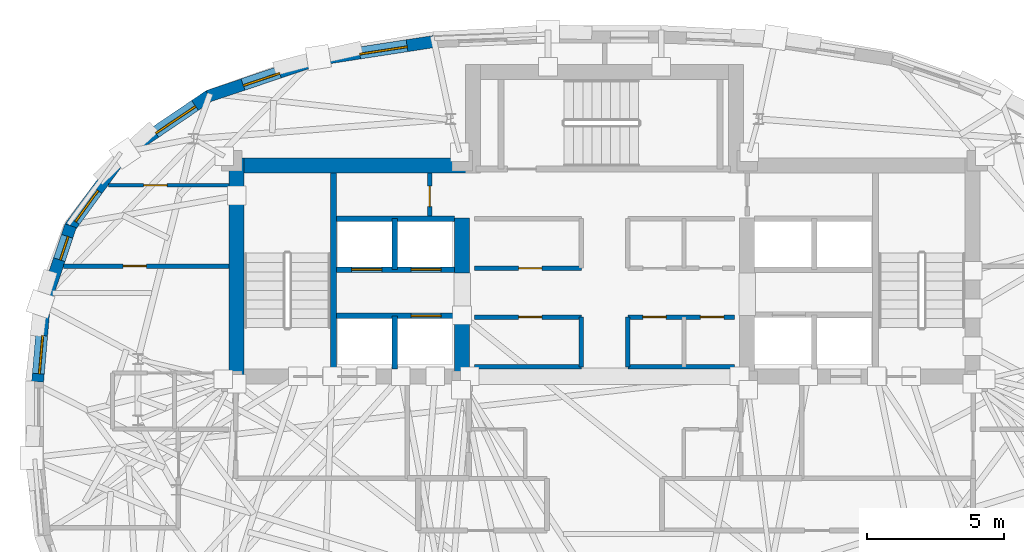
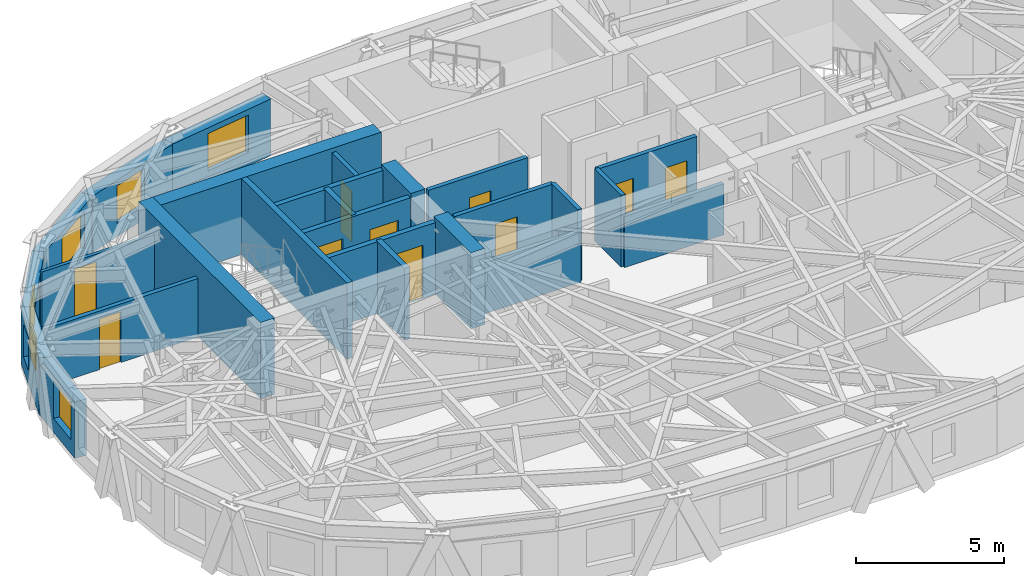
# One storey, part 7 of 12: 26 walls, 10 doors, 6 windows, 16 openings.
"""IFC4 building model written with IfcOpenShell, lengths in metres."""

from ifc_helpers import new_model, si_unit, direction, frame, frame_2d, origin, place, context, subcontext, project, spatial, rectangle, extrude, material, layer, layer_set, type_object, element, fill, save


model = new_model("IFC4")

# Units and contexts
model_context = context("Model", 3, precision=1e-05, world=origin(), true_north=direction((0.0, 1.0)))
body_context = subcontext(model_context, "Body", "Model", "MODEL_VIEW")
ifc_project = project(units=[si_unit("LENGTHUNIT", "METRE"), si_unit("AREAUNIT", "SQUARE_METRE"), si_unit("VOLUMEUNIT", "CUBIC_METRE"), si_unit("PLANEANGLEUNIT", "RADIAN"), si_unit("MASSUNIT", "GRAM", prefix="KILO")], contexts=[model_context])

# Site, building, storey
site_placement = place(None, origin())
site = spatial("IfcSite", under=ifc_project, at=site_placement, CompositionType="ELEMENT")
building_placement = place(site_placement, origin())
building = spatial("IfcBuilding", under=site, at=building_placement, Name="Keldmark Tower", CompositionType="ELEMENT")
storey_placement = place(building_placement, frame((0.0, 0.0, 250.949951171875)))
storey = spatial("IfcBuildingStorey", under=building, at=storey_placement, Name="L71", CompositionType="ELEMENT", Elevation=250.949951171875)

# Walls
ifc_material_1 = material(Name="Concrete C50/60", Category="concrete")
ifc_layer_1 = layer(ifc_material_1, 0.550048828125)
ifc_layer_set_1 = layer_set([ifc_layer_1], Name="Concrete C50/60")
wall_type_1 = type_object("IfcWallType", Name="High-Rise Core Shear Wall 550 mm", PredefinedType="SHEAR", material=ifc_layer_set_1)
wall_1_placement = place(storey_placement, frame((-13.425048828125, 1.300048828125, 0.0), z_axis=(0.0, 0.0, 1.0), x_axis=(0.0, 1.0, 0.0)))
element("IfcWall", 1, at=wall_1_placement, inside=storey, type_object=wall_type_1, Name="L71 West Core Outer Shear Wall", PredefinedType="SHEAR", context=body_context, shape_type="SweptSolid", body=[
    extrude(rectangle(XDim=8.25, YDim=0.550048828125, at=frame_2d((4.125, 0.0))), origin(), (0.0, 0.0, 1.0), 3.150146484375),
])
wall_2_placement = place(storey_placement, frame((-13.699951171875, 9.27490234375, 0.0), z_axis=(0.0, 0.0, 1.0), x_axis=(1.0, 0.0, 0.0)))
element("IfcWall", 2, at=wall_2_placement, inside=storey, type_object=wall_type_1, Name="L71 West Core North Shear Wall", PredefinedType="SHEAR", context=body_context, shape_type="SweptSolid", body=[
    extrude(rectangle(XDim=9.175048828125, YDim=0.550048828125, at=frame_2d((4.58740234375, 0.0))), origin(), (0.0, 0.0, 1.0), 3.150146484375),
])
wall_3_placement = place(storey_placement, frame((-5.199951171875, 1.300048828125, 0.0), z_axis=(0.0, 0.0, 1.0), x_axis=(0.0, 1.0, 0.0)))
element("IfcWall", 3, at=wall_3_placement, inside=storey, type_object=wall_type_1, Name="L71 West Core Inner Shear Pier South", PredefinedType="SHEAR", context=body_context, shape_type="SweptSolid", body=[
    extrude(rectangle(XDim=2.5, YDim=0.550048828125, at=frame_2d((1.25, 0.0))), origin(), (0.0, 0.0, 1.0), 3.150146484375),
])
wall_4_placement = place(storey_placement, frame((-5.199951171875, 5.35009765625, 0.0), z_axis=(0.0, 0.0, 1.0), x_axis=(0.0, 1.0, 0.0)))
element("IfcWall", 4, at=wall_4_placement, inside=storey, type_object=wall_type_1, Name="L71 West Core Inner Shear Pier North", PredefinedType="SHEAR", context=body_context, shape_type="SweptSolid", body=[
    extrude(rectangle(XDim=2.0, YDim=0.550048828125, at=frame_2d((1.0, 0.0))), origin(), (0.0, 0.0, 1.0), 3.150146484375),
])

# Wall, opening, door
ifc_material_2 = material(Name="Acoustic Gypsum Board Interior Partition", Category="gypsum")
ifc_layer_2 = layer(ifc_material_2, 0.1298828125)
ifc_layer_set_2 = layer_set([ifc_layer_2], Name="Acoustic Gypsum Board Interior Partition")
wall_type_2 = type_object("IfcWallType", Name="Interior Partition 130 mm", PredefinedType="PARTITIONING", material=ifc_layer_set_2)
wall_5_placement = place(storey_placement, frame((-18.106689453125, 8.550048828125, 0.0), z_axis=(0.0, 0.0, 1.0), x_axis=(1.0, 0.0, 0.0)))
wall_5 = element("IfcWall", 5, at=wall_5_placement, inside=storey, type_object=wall_type_2, Name="L71 Interior Partition 130 mm UA-NDIV2", PredefinedType="PARTITIONING", context=body_context, shape_type="SweptSolid", body=[
    extrude(rectangle(XDim=4.40673828125, YDim=0.1298828125, at=frame_2d((2.203369140625, 0.0))), origin(), (0.0, 0.0, 1.0), 2.423095703125),
])
opening_1_placement = place(wall_5_placement, frame((1.290283203125, 0.0, 0.0)))
opening_1 = element("IfcOpeningElement", 6, at=opening_1_placement, cuts=wall_5, Name="Opening D-IN085", PredefinedType="OPENING", context=body_context, shape_type="SweptSolid", body=[
    extrude(rectangle(XDim=0.85009765625, YDim=2.10009765625, at=frame_2d((0.425048828125, 1.050048828125))), frame((0.0, 0.074951171875, 0.0), z_axis=(0.0, -1.0, 0.0), x_axis=(1.0, 0.0, 0.0)), (0.0, 0.0, 1.0), 0.14990234375),
])
ifc_material_3 = material(Name="Painted Architectural Wood", Category="wood")
door_type_1 = type_object("IfcDoorType", Name="Interior Door 850x2100", OperationType="NOTDEFINED", PredefinedType="DOOR", material=ifc_material_3)
door_1_placement = place(opening_1_placement, origin())
door_1 = element("IfcDoor", 7, at=door_1_placement, inside=storey, type_object=door_type_1, Name="L71 Interior Door 850x2100 D-UA-BR2-L71", OperationType="SINGLE_SWING_RIGHT", OverallHeight=2.10009765625, OverallWidth=0.85009765625, PredefinedType="DOOR", context=body_context, shape_type="SweptSolid", body=[
    extrude(rectangle(XDim=0.85009765625, YDim=2.10009765625, at=frame_2d((0.425048828125, 1.050048828125))), frame((0.0, 0.02490234375, 0.0), z_axis=(0.0, -1.0, 0.0), x_axis=(1.0, 0.0, 0.0)), (0.0, 0.0, 1.0), 0.050048828125),
])
fill(opening_1, door_1)

# Wall
ifc_material_4 = material(Name="Type X Fire-Rated Gypsum Partition Assembly", Category="gypsum")
ifc_layer_3 = layer(ifc_material_4, 0.1650390625)
ifc_layer_set_3 = layer_set([ifc_layer_3], Name="Type X Fire-Rated Gypsum Partition Assembly")
wall_type_3 = type_object("IfcWallType", Name="Rated Partition 165 mm", PredefinedType="PARTITIONING", material=ifc_layer_set_3)
wall_6_placement = place(storey_placement, frame((-4.739990234375, 1.919921875, 0.0), z_axis=(0.0, 0.0, 1.0), x_axis=(1.0, 0.0, 0.0)))
element("IfcWall", 8, at=wall_6_placement, inside=storey, type_object=wall_type_3, Name="L71 Rated Partition 165 mm REC-LW-S", PredefinedType="PARTITIONING", context=body_context, shape_type="SweptSolid", body=[
    extrude(rectangle(XDim=3.889892578125, YDim=0.1650390625, at=frame_2d((1.94482421875, 0.0))), origin(), (0.0, 0.0, 1.0), 2.110107421875),
])

# Wall, opening, door
wall_7_placement = place(storey_placement, frame((-4.739990234375, 3.739990234375, 0.0), z_axis=(0.0, 0.0, 1.0), x_axis=(1.0, 0.0, 0.0)))
wall_7 = element("IfcWall", 9, at=wall_7_placement, inside=storey, type_object=wall_type_3, Name="L71 Rated Partition 165 mm REC-LW-N", PredefinedType="PARTITIONING", context=body_context, shape_type="SweptSolid", body=[
    extrude(rectangle(XDim=3.889892578125, YDim=0.1650390625, at=frame_2d((1.94482421875, 0.0))), origin(), (0.0, 0.0, 1.0), 2.969970703125),
])
opening_2_placement = place(wall_7_placement, frame((1.60009765625, 0.0, 0.0)))
opening_2 = element("IfcOpeningElement", 10, at=opening_2_placement, cuts=wall_7, Name="Opening D-SV085", PredefinedType="OPENING", context=body_context, shape_type="SweptSolid", body=[
    extrude(rectangle(XDim=0.85009765625, YDim=2.10009765625, at=frame_2d((0.425048828125, 1.050048828125))), frame((0.0, 0.092529296875, 0.0), z_axis=(0.0, -1.0, 0.0), x_axis=(1.0, 0.0, 0.0)), (0.0, 0.0, 1.0), 0.18505859375),
])
ifc_material_5 = material(Name="Painted Hollow Metal Door Assembly", Category="metal")
door_type_2 = type_object("IfcDoorType", Name="Service Door 850x2100", OperationType="NOTDEFINED", PredefinedType="DOOR", material=ifc_material_5)
door_2_placement = place(opening_2_placement, origin())
door_2 = element("IfcDoor", 11, at=door_2_placement, inside=storey, type_object=door_type_2, Name="L71 Service Door 850x2100 D-RECLW1-L71", OperationType="SINGLE_SWING_LEFT", OverallHeight=2.10009765625, OverallWidth=0.85009765625, PredefinedType="DOOR", context=body_context, shape_type="SweptSolid", body=[
    extrude(rectangle(XDim=0.85009765625, YDim=2.10009765625, at=frame_2d((0.425048828125, 1.050048828125))), frame((0.0, 0.02490234375, 0.0), z_axis=(0.0, -1.0, 0.0), x_axis=(1.0, 0.0, 0.0)), (0.0, 0.0, 1.0), 0.050048828125),
])
fill(opening_2, door_2)

# Walls
wall_8_placement = place(storey_placement, frame((-0.85009765625, 1.919921875, 0.0), z_axis=(0.0, 0.0, 1.0), x_axis=(0.0, 1.0, 0.0)))
element("IfcWall", 12, at=wall_8_placement, inside=storey, type_object=wall_type_3, Name="L71 Rated Partition 165 mm REC-LW-E", PredefinedType="PARTITIONING", context=body_context, shape_type="SweptSolid", body=[
    extrude(rectangle(XDim=1.820068359375, YDim=0.1650390625, at=frame_2d((0.91015625, 0.0))), origin(), (0.0, 0.0, 1.0), 2.969970703125),
])
wall_9_placement = place(storey_placement, frame((0.85009765625, 1.919921875, 0.0), z_axis=(0.0, 0.0, 1.0), x_axis=(1.0, 0.0, 0.0)))
element("IfcWall", 13, at=wall_9_placement, inside=storey, type_object=wall_type_3, Name="L71 Rated Partition 165 mm REC-LE-S", PredefinedType="PARTITIONING", context=body_context, shape_type="SweptSolid", body=[
    extrude(rectangle(XDim=3.889892578125, YDim=0.1650390625, at=frame_2d((1.94482421875, 0.0))), origin(), (0.0, 0.0, 1.0), 2.110107421875),
])

# Wall, openings, doors
wall_10_placement = place(storey_placement, frame((0.85009765625, 3.739990234375, 0.0), z_axis=(0.0, 0.0, 1.0), x_axis=(1.0, 0.0, 0.0)))
wall_10 = element("IfcWall", 14, at=wall_10_placement, inside=storey, type_object=wall_type_3, Name="L71 Rated Partition 165 mm REC-LE-N", PredefinedType="PARTITIONING", context=body_context, shape_type="SweptSolid", body=[
    extrude(rectangle(XDim=3.889892578125, YDim=0.1650390625, at=frame_2d((1.94482421875, 0.0))), origin(), (0.0, 0.0, 1.0), 2.969970703125),
])
opening_3_placement = place(wall_10_placement, frame((0.550048828125, 0.0, 0.0)))
opening_3 = element("IfcOpeningElement", 15, at=opening_3_placement, cuts=wall_10, Name="Opening D-SV085", PredefinedType="OPENING", context=body_context, shape_type="SweptSolid", body=[
    extrude(rectangle(XDim=0.85009765625, YDim=2.10009765625, at=frame_2d((0.425048828125, 1.050048828125))), frame((0.0, 0.092529296875, 0.0), z_axis=(0.0, -1.0, 0.0), x_axis=(1.0, 0.0, 0.0)), (0.0, 0.0, 1.0), 0.18505859375),
])
opening_4_placement = place(wall_10_placement, frame((2.64990234375, 0.0, 0.0)))
opening_4 = element("IfcOpeningElement", 16, at=opening_4_placement, cuts=wall_10, Name="Opening D-SV085", PredefinedType="OPENING", context=body_context, shape_type="SweptSolid", body=[
    extrude(rectangle(XDim=0.85009765625, YDim=2.10009765625, at=frame_2d((0.425048828125, 1.050048828125))), frame((0.0, 0.092529296875, 0.0), z_axis=(0.0, -1.0, 0.0), x_axis=(1.0, 0.0, 0.0)), (0.0, 0.0, 1.0), 0.18505859375),
])
door_3_placement = place(opening_3_placement, origin())
door_3 = element("IfcDoor", 17, at=door_3_placement, inside=storey, type_object=door_type_2, Name="L71 Service Door 850x2100 D-RECLE1-L71", OperationType="SINGLE_SWING_LEFT", OverallHeight=2.10009765625, OverallWidth=0.85009765625, PredefinedType="DOOR", context=body_context, shape_type="SweptSolid", body=[
    extrude(rectangle(XDim=0.85009765625, YDim=2.10009765625, at=frame_2d((0.425048828125, 1.050048828125))), frame((0.0, 0.02490234375, 0.0), z_axis=(0.0, -1.0, 0.0), x_axis=(1.0, 0.0, 0.0)), (0.0, 0.0, 1.0), 0.050048828125),
])
fill(opening_3, door_3)
door_4_placement = place(opening_4_placement, origin())
door_4 = element("IfcDoor", 18, at=door_4_placement, inside=storey, type_object=door_type_2, Name="L71 Service Door 850x2100 D-RECLE2-L71", OperationType="SINGLE_SWING_RIGHT", OverallHeight=2.10009765625, OverallWidth=0.85009765625, PredefinedType="DOOR", context=body_context, shape_type="SweptSolid", body=[
    extrude(rectangle(XDim=0.85009765625, YDim=2.10009765625, at=frame_2d((0.425048828125, 1.050048828125))), frame((0.0, 0.02490234375, 0.0), z_axis=(0.0, -1.0, 0.0), x_axis=(1.0, 0.0, 0.0)), (0.0, 0.0, 1.0), 0.050048828125),
])
fill(opening_4, door_4)

# Wall
wall_11_placement = place(storey_placement, frame((0.85009765625, 1.919921875, 0.0), z_axis=(0.0, 0.0, 1.0), x_axis=(0.0, 1.0, 0.0)))
element("IfcWall", 19, at=wall_11_placement, inside=storey, type_object=wall_type_3, Name="L71 Rated Partition 165 mm REC-LE-W", PredefinedType="PARTITIONING", context=body_context, shape_type="SweptSolid", body=[
    extrude(rectangle(XDim=1.820068359375, YDim=0.1650390625, at=frame_2d((0.91015625, 0.0))), origin(), (0.0, 0.0, 1.0), 2.969970703125),
])

# Wall, opening, door
wall_12_placement = place(storey_placement, frame((-4.739990234375, 5.52001953125, 0.0), z_axis=(0.0, 0.0, 1.0), x_axis=(1.0, 0.0, 0.0)))
wall_12 = element("IfcWall", 20, at=wall_12_placement, inside=storey, type_object=wall_type_3, Name="L71 Rated Partition 165 mm REC-MW-S", PredefinedType="PARTITIONING", context=body_context, shape_type="SweptSolid", body=[
    extrude(rectangle(XDim=3.889892578125, YDim=0.1650390625, at=frame_2d((1.94482421875, 0.0))), origin(), (0.0, 0.0, 1.0), 2.969970703125),
])
opening_5_placement = place(wall_12_placement, frame((1.60009765625, 0.0, 0.0)))
opening_5 = element("IfcOpeningElement", 21, at=opening_5_placement, cuts=wall_12, Name="Opening D-SV085", PredefinedType="OPENING", context=body_context, shape_type="SweptSolid", body=[
    extrude(rectangle(XDim=0.85009765625, YDim=2.10009765625, at=frame_2d((0.425048828125, 1.050048828125))), frame((0.0, 0.092529296875, 0.0), z_axis=(0.0, -1.0, 0.0), x_axis=(1.0, 0.0, 0.0)), (0.0, 0.0, 1.0), 0.18505859375),
])
door_5_placement = place(opening_5_placement, origin())
door_5 = element("IfcDoor", 22, at=door_5_placement, inside=storey, type_object=door_type_2, Name="L71 Service Door 850x2100 D-RECMW1-L71", OperationType="SINGLE_SWING_LEFT", OverallHeight=2.10009765625, OverallWidth=0.85009765625, PredefinedType="DOOR", context=body_context, shape_type="SweptSolid", body=[
    extrude(rectangle(XDim=0.85009765625, YDim=2.10009765625, at=frame_2d((0.425048828125, 1.050048828125))), frame((0.0, 0.02490234375, 0.0), z_axis=(0.0, -1.0, 0.0), x_axis=(1.0, 0.0, 0.0)), (0.0, 0.0, 1.0), 0.050048828125),
])
fill(opening_5, door_5)

wall_13_placement = place(storey_placement, frame((-6.3798828125, 7.419921875, 0.0), z_axis=(0.0, 0.0, 1.0), x_axis=(0.0, 1.0, 0.0)))
wall_13 = element("IfcWall", 23, at=wall_13_placement, inside=storey, type_object=wall_type_3, Name="L71 Rated Partition 165 mm CS-NW-E", PredefinedType="PARTITIONING", context=body_context, shape_type="SweptSolid", body=[
    extrude(rectangle(XDim=1.580078125, YDim=0.1650390625, at=frame_2d((0.7900390625, 0.0))), origin(), (0.0, 0.0, 1.0), 2.969970703125),
])
opening_6_placement = place(wall_13_placement, frame((0.35009765625, 0.0, 0.0)))
opening_6 = element("IfcOpeningElement", 24, at=opening_6_placement, cuts=wall_13, Name="Opening D-RS075", PredefinedType="OPENING", context=body_context, shape_type="SweptSolid", body=[
    extrude(rectangle(XDim=0.75, YDim=2.10009765625, at=frame_2d((0.375, 1.050048828125))), frame((0.0, 0.092529296875, 0.0), z_axis=(0.0, -1.0, 0.0), x_axis=(1.0, 0.0, 0.0)), (0.0, 0.0, 1.0), 0.18505859375),
])
ifc_material_6 = material(Name="Galvanized Fire-Rated Access Leaf", Category="metal")
door_type_3 = type_object("IfcDoorType", Name="Riser Access Door 750x2100", OperationType="NOTDEFINED", PredefinedType="DOOR", material=ifc_material_6)
door_6_placement = place(opening_6_placement, origin())
door_6 = element("IfcDoor", 25, at=door_6_placement, inside=storey, type_object=door_type_3, Name="L71 Riser Access Door 750x2100 D-CSNW1-L71", OperationType="SINGLE_SWING_RIGHT", OverallHeight=2.10009765625, OverallWidth=0.75, PredefinedType="DOOR", context=body_context, shape_type="SweptSolid", body=[
    extrude(rectangle(XDim=0.75, YDim=2.10009765625, at=frame_2d((0.375, 1.050048828125))), frame((0.0, 0.02490234375, 0.0), z_axis=(0.0, -1.0, 0.0), x_axis=(1.0, 0.0, 0.0)), (0.0, 0.0, 1.0), 0.050048828125),
])
fill(opening_6, door_6)

wall_14_placement = place(storey_placement, frame((-19.735595703125, 5.60009765625, 0.0), z_axis=(0.0, 0.0, 1.0), x_axis=(1.0, 0.0, 0.0)))
wall_14 = element("IfcWall", 26, at=wall_14_placement, inside=storey, type_object=wall_type_3, Name="L71 Rated Partition 165 mm RW-NDIV", PredefinedType="PARTITIONING", context=body_context, shape_type="SweptSolid", body=[
    extrude(rectangle(XDim=6.03564453125, YDim=0.1650390625, at=frame_2d((3.017822265625, 0.0))), origin(), (0.0, 0.0, 1.0), 2.423095703125),
])
opening_7_placement = place(wall_14_placement, frame((2.169189453125, 0.0, 0.0)))
opening_7 = element("IfcOpeningElement", 27, at=opening_7_placement, cuts=wall_14, Name="Opening D-BR085", PredefinedType="OPENING", context=body_context, shape_type="SweptSolid", body=[
    extrude(rectangle(XDim=0.85009765625, YDim=2.10009765625, at=frame_2d((0.425048828125, 1.050048828125))), frame((0.0, 0.092529296875, 0.0), z_axis=(0.0, -1.0, 0.0), x_axis=(1.0, 0.0, 0.0)), (0.0, 0.0, 1.0), 0.18505859375),
])
ifc_material_7 = material(Name="Solid-Core Stained Walnut Wood", Category="wood")
door_type_4 = type_object("IfcDoorType", Name="Bedroom Door 850x2100", OperationType="NOTDEFINED", PredefinedType="DOOR", material=ifc_material_7)
door_7_placement = place(opening_7_placement, origin())
door_7 = element("IfcDoor", 28, at=door_7_placement, inside=storey, type_object=door_type_4, Name="L71 Bedroom Door 850x2100 D-UA-BR1-L71", OperationType="SINGLE_SWING_LEFT", OverallHeight=2.10009765625, OverallWidth=0.85009765625, PredefinedType="DOOR", context=body_context, shape_type="SweptSolid", body=[
    extrude(rectangle(XDim=0.85009765625, YDim=2.10009765625, at=frame_2d((0.425048828125, 1.050048828125))), frame((0.0, 0.02490234375, 0.0), z_axis=(0.0, -1.0, 0.0), x_axis=(1.0, 0.0, 0.0)), (0.0, 0.0, 1.0), 0.050048828125),
])
fill(opening_7, door_7)

ifc_material_8 = material(Name="Fire-Resistant Type X Gypsum Shaftliner Coreboard", Category="gypsum")
ifc_layer_4 = layer(ifc_material_8, 0.199951171875)
ifc_layer_set_4 = layer_set([ifc_layer_4], Name="Fire-Resistant Type X Gypsum Shaftliner Coreboard")
wall_type_4 = type_object("IfcWallType", Name="Shaft Wall 200 mm", PredefinedType="SOLIDWALL", material=ifc_layer_set_4)
wall_15_placement = place(storey_placement, frame((-9.780029296875, 3.780029296875, 0.0), z_axis=(0.0, 0.0, 1.0), x_axis=(1.0, 0.0, 0.0)))
wall_15 = element("IfcWall", 29, at=wall_15_placement, inside=storey, type_object=wall_type_4, Name="L71 Shaft Wall 200 mm HW-W-S", PredefinedType="SOLIDWALL", context=body_context, shape_type="SweptSolid", body=[
    extrude(rectangle(XDim=4.304931640625, YDim=0.199951171875, at=frame_2d((2.15234375, 0.0))), origin(), (0.0, 0.0, 1.0), 2.969970703125),
])
opening_8_placement = place(wall_15_placement, frame((2.719970703125, 0.0, 0.0)))
opening_8 = element("IfcOpeningElement", 30, at=opening_8_placement, cuts=wall_15, Name="Opening LD-110", PredefinedType="OPENING", context=body_context, shape_type="SweptSolid", body=[
    extrude(rectangle(XDim=1.10009765625, YDim=2.199951171875, at=frame_2d((0.550048828125, 1.10009765625))), frame((0.0, 0.10986328125, 0.0), z_axis=(0.0, -1.0, 0.0), x_axis=(1.0, 0.0, 0.0)), (0.0, 0.0, 1.0), 0.219970703125),
])
ifc_material_9 = material(Name="Brushed Bronze Hoistway Sliding Leaf", Category="metal")
door_type_5 = type_object("IfcDoorType", Name="Lift Landing Sliding Door 1100x2200", OperationType="SLIDING_TO_LEFT", PredefinedType="DOOR", material=ifc_material_9)
door_8_placement = place(opening_8_placement, origin())
door_8 = element("IfcDoor", 31, at=door_8_placement, inside=storey, type_object=door_type_5, Name="L71 Lift Landing Sliding Door 1100x2200 LD-EL-H3-L71", OperationType="SLIDING_TO_LEFT", OverallHeight=2.199951171875, OverallWidth=1.10009765625, PredefinedType="DOOR", context=body_context, shape_type="SweptSolid", body=[
    extrude(rectangle(XDim=1.10009765625, YDim=2.199951171875, at=frame_2d((0.550048828125, 1.10009765625))), frame((0.0, 0.02490234375, 0.0), z_axis=(0.0, -1.0, 0.0), x_axis=(1.0, 0.0, 0.0)), (0.0, 0.0, 1.0), 0.050048828125),
])
fill(opening_8, door_8)

# Wall
wall_16_placement = place(storey_placement, frame((-7.64990234375, 1.85009765625, 0.0), z_axis=(0.0, 0.0, 1.0), x_axis=(0.0, 1.0, 0.0)))
element("IfcWall", 32, at=wall_16_placement, inside=storey, type_object=wall_type_4, Name="L71 Shaft Wall 200 mm HW-W-M", PredefinedType="SOLIDWALL", context=body_context, shape_type="SweptSolid", body=[
    extrude(rectangle(XDim=1.929931640625, YDim=0.199951171875, at=frame_2d((0.96484375, 0.0))), origin(), (0.0, 0.0, 1.0), 2.969970703125),
])

# Wall, openings, doors
wall_17_placement = place(storey_placement, frame((-9.780029296875, 5.469970703125, 0.0), z_axis=(0.0, 0.0, 1.0), x_axis=(1.0, 0.0, 0.0)))
wall_17 = element("IfcWall", 33, at=wall_17_placement, inside=storey, type_object=wall_type_4, Name="L71 Shaft Wall 200 mm HW-W-N", PredefinedType="SOLIDWALL", context=body_context, shape_type="SweptSolid", body=[
    extrude(rectangle(XDim=4.304931640625, YDim=0.199951171875, at=frame_2d((2.15234375, 0.0))), origin(), (0.0, 0.0, 1.0), 2.969970703125),
])
opening_9_placement = place(wall_17_placement, frame((0.550048828125, 0.0, 0.0)))
opening_9 = element("IfcOpeningElement", 34, at=opening_9_placement, cuts=wall_17, Name="Opening LD-110", PredefinedType="OPENING", context=body_context, shape_type="SweptSolid", body=[
    extrude(rectangle(XDim=1.10009765625, YDim=2.199951171875, at=frame_2d((0.550048828125, 1.10009765625))), frame((0.0, 0.10986328125, 0.0), z_axis=(0.0, -1.0, 0.0), x_axis=(1.0, 0.0, 0.0)), (0.0, 0.0, 1.0), 0.219970703125),
])
opening_10_placement = place(wall_17_placement, frame((2.719970703125, 0.0, 0.0)))
opening_10 = element("IfcOpeningElement", 35, at=opening_10_placement, cuts=wall_17, Name="Opening LD-110", PredefinedType="OPENING", context=body_context, shape_type="SweptSolid", body=[
    extrude(rectangle(XDim=1.10009765625, YDim=2.199951171875, at=frame_2d((0.550048828125, 1.10009765625))), frame((0.0, 0.10986328125, 0.0), z_axis=(0.0, -1.0, 0.0), x_axis=(1.0, 0.0, 0.0)), (0.0, 0.0, 1.0), 0.219970703125),
])
door_9_placement = place(opening_9_placement, origin())
door_9 = element("IfcDoor", 36, at=door_9_placement, inside=storey, type_object=door_type_5, Name="L71 Lift Landing Sliding Door 1100x2200 LD-EL-H1-L71", OperationType="SLIDING_TO_LEFT", OverallHeight=2.199951171875, OverallWidth=1.10009765625, PredefinedType="DOOR", context=body_context, shape_type="SweptSolid", body=[
    extrude(rectangle(XDim=1.10009765625, YDim=2.199951171875, at=frame_2d((0.550048828125, 1.10009765625))), frame((0.0, 0.02490234375, 0.0), z_axis=(0.0, -1.0, 0.0), x_axis=(1.0, 0.0, 0.0)), (0.0, 0.0, 1.0), 0.050048828125),
])
fill(opening_9, door_9)
door_10_placement = place(opening_10_placement, origin())
door_10 = element("IfcDoor", 37, at=door_10_placement, inside=storey, type_object=door_type_5, Name="L71 Lift Landing Sliding Door 1100x2200 LD-EL-H2-L71", OperationType="SLIDING_TO_LEFT", OverallHeight=2.199951171875, OverallWidth=1.10009765625, PredefinedType="DOOR", context=body_context, shape_type="SweptSolid", body=[
    extrude(rectangle(XDim=1.10009765625, YDim=2.199951171875, at=frame_2d((0.550048828125, 1.10009765625))), frame((0.0, 0.02490234375, 0.0), z_axis=(0.0, -1.0, 0.0), x_axis=(1.0, 0.0, 0.0)), (0.0, 0.0, 1.0), 0.050048828125),
])
fill(opening_10, door_10)

# Walls
wall_18_placement = place(storey_placement, frame((-9.780029296875, 7.330078125, 0.0), z_axis=(0.0, 0.0, 1.0), x_axis=(1.0, 0.0, 0.0)))
element("IfcWall", 38, at=wall_18_placement, inside=storey, type_object=wall_type_4, Name="L71 Shaft Wall 200 mm HW-W-TOP", PredefinedType="SOLIDWALL", context=body_context, shape_type="SweptSolid", body=[
    extrude(rectangle(XDim=4.304931640625, YDim=0.199951171875, at=frame_2d((2.15234375, 0.0))), origin(), (0.0, 0.0, 1.0), 2.969970703125),
])
wall_19_placement = place(storey_placement, frame((-7.64990234375, 5.469970703125, 0.0), z_axis=(0.0, 0.0, 1.0), x_axis=(0.0, 1.0, 0.0)))
element("IfcWall", 39, at=wall_19_placement, inside=storey, type_object=wall_type_4, Name="L71 Shaft Wall 200 mm HW-W-NM", PredefinedType="SOLIDWALL", context=body_context, shape_type="SweptSolid", body=[
    extrude(rectangle(XDim=1.860107421875, YDim=0.199951171875, at=frame_2d((0.93017578125, 0.0))), origin(), (0.0, 0.0, 1.0), 2.969970703125),
])
ifc_material_10 = material(Name="Concrete C50/60", Category="concrete")
ifc_layer_5 = layer(ifc_material_10, 0.219970703125)
ifc_layer_set_5 = layer_set([ifc_layer_5], Name="Concrete C50/60")
wall_type_5 = type_object("IfcWallType", Name="Stair Core Shear Wall 220 mm", PredefinedType="SHEAR", material=ifc_layer_set_5)
wall_20_placement = place(storey_placement, frame((-9.889892578125, 1.85009765625, 0.0), z_axis=(0.0, 0.0, 1.0), x_axis=(0.0, 1.0, 0.0)))
element("IfcWall", 40, at=wall_20_placement, inside=storey, type_object=wall_type_5, Name="L71 West Stair Core Shear Wall", PredefinedType="SHEAR", context=body_context, shape_type="SweptSolid", body=[
    extrude(rectangle(XDim=7.14990234375, YDim=0.219970703125, at=frame_2d((3.574951171875, 0.0))), origin(), (0.0, 0.0, 1.0), 3.150146484375),
])

# Wall, opening, window
ifc_material_11 = material(Name="Ironspot Manganese Brick and Kasota Buff Limestone Spandrel Assembly", Category="masonry")
ifc_layer_6 = layer(ifc_material_11, 0.43994140625)
ifc_layer_set_6 = layer_set([ifc_layer_6], Name="Ironspot Manganese Brick and Kasota Buff Limestone Spandrel Assembly")
wall_type_6 = type_object("IfcWallType", Name="Tower Brick Pier and Spandrel Wall 440 mm", PredefinedType="STANDARD", material=ifc_layer_set_6)
wall_21_placement = place(storey_placement, frame((-10.49267578125, 13.135009765625, 0.0), z_axis=(0.0, 0.0, 1.0), x_axis=(0.988352039028, 0.152184910389, 0.0)))
wall_21 = element("IfcWall", 41, at=wall_21_placement, inside=storey, type_object=wall_type_6, Name="L71 Exterior Brick and Spandrel Wall 10", PredefinedType="STANDARD", context=body_context, shape_type="SweptSolid", body=[
    extrude(rectangle(XDim=4.30908203125, YDim=0.43994140625, at=frame_2d((2.154541015625, 0.0))), origin(), (0.0, 0.0, 1.0), 2.3359375),
])
opening_11_placement = place(wall_21_placement, frame((1.573974609375, 0.0, 0.550048828125)))
opening_11 = element("IfcOpeningElement", 42, at=opening_11_placement, cuts=wall_21, Name="Opening W-05", PredefinedType="OPENING", context=body_context, shape_type="SweptSolid", body=[
    extrude(rectangle(XDim=1.75, YDim=1.550048828125, at=frame_2d((0.875, 0.77490234375))), frame((0.0, 0.22998046875, 0.0), z_axis=(0.0, -1.0, 0.0), x_axis=(1.0, 0.0, 0.0)), (0.0, 0.0, 1.0), 0.4599609375),
])
ifc_material_12 = material(Name="Thermally Broken Anodized Aluminum and Triple Low-E Argon Glazing", Category="aluminium")
window_type_1 = type_object("IfcWindowType", Name="Residential Deep-Set Window 1750x1550", PartitioningType="DOUBLE_PANEL_VERTICAL", PredefinedType="WINDOW", material=ifc_material_12)
window_1_placement = place(opening_11_placement, origin())
window_1 = element("IfcWindow", 43, at=window_1_placement, inside=storey, type_object=window_type_1, Name="L71 Deep-Set Window 10", OverallHeight=1.550048828125, OverallWidth=1.75, PartitioningType="SINGLE_PANEL", PredefinedType="WINDOW", context=body_context, shape_type="SweptSolid", body=[
    extrude(rectangle(XDim=1.75, YDim=1.550048828125, at=frame_2d((0.875, 0.77490234375))), frame((0.0, -0.010009765625, 0.0), z_axis=(0.0, -1.0, 0.0), x_axis=(1.0, 0.0, 0.0)), (0.0, 0.0, 1.0), 0.06005859375),
])
fill(opening_11, window_1)

wall_22_placement = place(storey_placement, frame((-14.46337890625, 11.798583984375, 0.0), z_axis=(0.0, 0.0, 1.0), x_axis=(0.948005346594, 0.318254399545, 0.0)))
wall_22 = element("IfcWall", 44, at=wall_22_placement, inside=storey, type_object=wall_type_6, Name="L71 Exterior Brick and Spandrel Wall 11", PredefinedType="STANDARD", context=body_context, shape_type="SweptSolid", body=[
    extrude(rectangle(XDim=4.226806640625, YDim=0.43994140625, at=frame_2d((2.11328125, 0.0))), origin(), (0.0, 0.0, 1.0), 2.3359375),
])
opening_12_placement = place(wall_22_placement, frame((1.339111328125, 0.0, 0.550048828125)))
opening_12 = element("IfcOpeningElement", 45, at=opening_12_placement, cuts=wall_22, Name="Opening W-08", PredefinedType="OPENING", context=body_context, shape_type="SweptSolid", body=[
    extrude(rectangle(XDim=1.39990234375, YDim=1.550048828125, at=frame_2d((0.699951171875, 0.77490234375))), frame((0.0, 0.22998046875, 0.0), z_axis=(0.0, -1.0, 0.0), x_axis=(1.0, 0.0, 0.0)), (0.0, 0.0, 1.0), 0.4599609375),
])
ifc_material_13 = material(Name="Thermally Broken Anodized Aluminum and Triple Low-E Argon Glazing", Category="aluminium")
window_type_2 = type_object("IfcWindowType", Name="Residential Corner Punched Window 1400x1550", PartitioningType="SINGLE_PANEL", PredefinedType="WINDOW", material=ifc_material_13)
window_2_placement = place(opening_12_placement, origin())
window_2 = element("IfcWindow", 46, at=window_2_placement, inside=storey, type_object=window_type_2, Name="L71 Deep-Set Window 11", OverallHeight=1.550048828125, OverallWidth=1.39990234375, PartitioningType="SINGLE_PANEL", PredefinedType="WINDOW", context=body_context, shape_type="SweptSolid", body=[
    extrude(rectangle(XDim=1.39990234375, YDim=1.550048828125, at=frame_2d((0.699951171875, 0.77490234375))), frame((0.0, -0.010009765625, 0.0), z_axis=(0.0, -1.0, 0.0), x_axis=(1.0, 0.0, 0.0)), (0.0, 0.0, 1.0), 0.06005859375),
])
fill(opening_12, window_2)

wall_23_placement = place(storey_placement, frame((-17.585693359375, 9.671875, 0.0), z_axis=(0.0, 0.0, 1.0), x_axis=(0.827707997274, 0.56115904274, 0.0)))
wall_23 = element("IfcWall", 47, at=wall_23_placement, inside=storey, type_object=wall_type_6, Name="L71 Exterior Brick and Spandrel Wall 12", PredefinedType="STANDARD", context=body_context, shape_type="SweptSolid", body=[
    extrude(rectangle(XDim=3.8369140625, YDim=0.43994140625, at=frame_2d((1.91845703125, 0.0))), origin(), (0.0, 0.0, 1.0), 2.3359375),
])
opening_13_placement = place(wall_23_placement, frame((1.440185546875, 0.0, 0.550048828125)))
opening_13 = element("IfcOpeningElement", 48, at=opening_13_placement, cuts=wall_23, Name="Opening W-05", PredefinedType="OPENING", context=body_context, shape_type="SweptSolid", body=[
    extrude(rectangle(XDim=1.75, YDim=1.550048828125, at=frame_2d((0.875, 0.77490234375))), frame((0.0, 0.22998046875, 0.0), z_axis=(0.0, -1.0, 0.0), x_axis=(1.0, 0.0, 0.0)), (0.0, 0.0, 1.0), 0.4599609375),
])
window_3_placement = place(opening_13_placement, origin())
window_3 = element("IfcWindow", 49, at=window_3_placement, inside=storey, type_object=window_type_1, Name="L71 Deep-Set Window 12", OverallHeight=1.550048828125, OverallWidth=1.75, PartitioningType="SINGLE_PANEL", PredefinedType="WINDOW", context=body_context, shape_type="SweptSolid", body=[
    extrude(rectangle(XDim=1.75, YDim=1.550048828125, at=frame_2d((0.875, 0.77490234375))), frame((0.0, -0.010009765625, 0.0), z_axis=(0.0, -1.0, 0.0), x_axis=(1.0, 0.0, 0.0)), (0.0, 0.0, 1.0), 0.06005859375),
])
fill(opening_13, window_3)

wall_24_placement = place(storey_placement, frame((-19.515380859375, 7.00732421875, 0.0), z_axis=(0.0, 0.0, 1.0), x_axis=(0.589698134284, 0.807623743102, 0.0)))
wall_24 = element("IfcWall", 50, at=wall_24_placement, inside=storey, type_object=wall_type_6, Name="L71 Exterior Brick and Spandrel Wall 13", PredefinedType="STANDARD", context=body_context, shape_type="SweptSolid", body=[
    extrude(rectangle(XDim=3.3642578125, YDim=0.43994140625, at=frame_2d((1.68212890625, 0.0))), origin(), (0.0, 0.0, 1.0), 2.3359375),
])
opening_14_placement = place(wall_24_placement, frame((0.2978515625, 0.0, 0.580078125)))
opening_14 = element("IfcOpeningElement", 51, at=opening_14_placement, cuts=wall_24, Name="Opening W-08", PredefinedType="OPENING", context=body_context, shape_type="SweptSolid", body=[
    extrude(rectangle(XDim=1.39990234375, YDim=1.550048828125, at=frame_2d((0.699951171875, 0.77490234375))), frame((0.0, 0.22998046875, 0.0), z_axis=(0.0, -1.0, 0.0), x_axis=(1.0, 0.0, 0.0)), (0.0, 0.0, 1.0), 0.4599609375),
])
window_4_placement = place(opening_14_placement, origin())
window_4 = element("IfcWindow", 52, at=window_4_placement, inside=storey, type_object=window_type_2, Name="L71 Deep-Set Window 13", OverallHeight=1.550048828125, OverallWidth=1.39990234375, PartitioningType="SINGLE_PANEL", PredefinedType="WINDOW", context=body_context, shape_type="SweptSolid", body=[
    extrude(rectangle(XDim=1.39990234375, YDim=1.550048828125, at=frame_2d((0.699951171875, 0.77490234375))), frame((0.0, -0.010009765625, 0.0), z_axis=(0.0, -1.0, 0.0), x_axis=(1.0, 0.0, 0.0)), (0.0, 0.0, 1.0), 0.06005859375),
])
fill(opening_14, window_4)

wall_25_placement = place(storey_placement, frame((-20.451904296875, 4.179443359375, 0.0), z_axis=(0.0, 0.0, 1.0), x_axis=(0.317622332961, 0.948217302945, 0.0)))
wall_25 = element("IfcWall", 53, at=wall_25_placement, inside=storey, type_object=wall_type_6, Name="L71 Exterior Brick and Spandrel Wall 14", PredefinedType="STANDARD", context=body_context, shape_type="SweptSolid", body=[
    extrude(rectangle(XDim=3.04541015625, YDim=0.43994140625, at=frame_2d((1.522705078125, 0.0))), origin(), (0.0, 0.0, 1.0), 2.3359375),
])
opening_15_placement = place(wall_25_placement, frame((1.745849609375, 0.0, 0.580078125)))
opening_15 = element("IfcOpeningElement", 54, at=opening_15_placement, cuts=wall_25, Name="Opening W-09", PredefinedType="OPENING", context=body_context, shape_type="SweptSolid", body=[
    extrude(rectangle(XDim=0.89990234375, YDim=1.35009765625, at=frame_2d((0.449951171875, 0.675048828125))), frame((0.0, 0.22998046875, 0.0), z_axis=(0.0, -1.0, 0.0), x_axis=(1.0, 0.0, 0.0)), (0.0, 0.0, 1.0), 0.4599609375),
])
ifc_material_14 = material(Name="Thermally Broken Anodized Aluminum and Triple Low-E Argon Glazing", Category="aluminium")
window_type_3 = type_object("IfcWindowType", Name="Corner Pier Deep-Set Window 900x1350", PartitioningType="SINGLE_PANEL", PredefinedType="WINDOW", material=ifc_material_14)
window_5_placement = place(opening_15_placement, origin())
window_5 = element("IfcWindow", 55, at=window_5_placement, inside=storey, type_object=window_type_3, Name="L71 Deep-Set Window 14", OverallHeight=1.35009765625, OverallWidth=0.89990234375, PartitioningType="SINGLE_PANEL", PredefinedType="WINDOW", context=body_context, shape_type="SweptSolid", body=[
    extrude(rectangle(XDim=0.89990234375, YDim=1.35009765625, at=frame_2d((0.449951171875, 0.675048828125))), frame((0.0, -0.010009765625, 0.0), z_axis=(0.0, -1.0, 0.0), x_axis=(1.0, 0.0, 0.0)), (0.0, 0.0, 1.0), 0.06005859375),
])
fill(opening_15, window_5)

wall_26_placement = place(storey_placement, frame((-20.690185546875, 1.377197265625, 0.0), z_axis=(0.0, 0.0, 1.0), x_axis=(0.086868726907, 0.996219767062, 0.0)))
wall_26 = element("IfcWall", 56, at=wall_26_placement, inside=storey, type_object=wall_type_6, Name="L71 Exterior Brick and Spandrel Wall 15", PredefinedType="STANDARD", context=body_context, shape_type="SweptSolid", body=[
    extrude(rectangle(XDim=2.86376953125, YDim=0.43994140625, at=frame_2d((1.431884765625, 0.0))), origin(), (0.0, 0.0, 1.0), 2.3359375),
])
opening_16_placement = place(wall_26_placement, frame((0.296630859375, 0.0, 0.580078125)))
opening_16 = element("IfcOpeningElement", 57, at=opening_16_placement, cuts=wall_26, Name="Opening W-08", PredefinedType="OPENING", context=body_context, shape_type="SweptSolid", body=[
    extrude(rectangle(XDim=1.39990234375, YDim=1.550048828125, at=frame_2d((0.699951171875, 0.77490234375))), frame((0.0, 0.22998046875, 0.0), z_axis=(0.0, -1.0, 0.0), x_axis=(1.0, 0.0, 0.0)), (0.0, 0.0, 1.0), 0.4599609375),
])
window_6_placement = place(opening_16_placement, origin())
window_6 = element("IfcWindow", 58, at=window_6_placement, inside=storey, type_object=window_type_2, Name="L71 Deep-Set Window 15", OverallHeight=1.550048828125, OverallWidth=1.39990234375, PartitioningType="SINGLE_PANEL", PredefinedType="WINDOW", context=body_context, shape_type="SweptSolid", body=[
    extrude(rectangle(XDim=1.39990234375, YDim=1.550048828125, at=frame_2d((0.699951171875, 0.77490234375))), frame((0.0, -0.010009765625, 0.0), z_axis=(0.0, -1.0, 0.0), x_axis=(1.0, 0.0, 0.0)), (0.0, 0.0, 1.0), 0.06005859375),
])
fill(opening_16, window_6)

save(model, "model.ifc")
